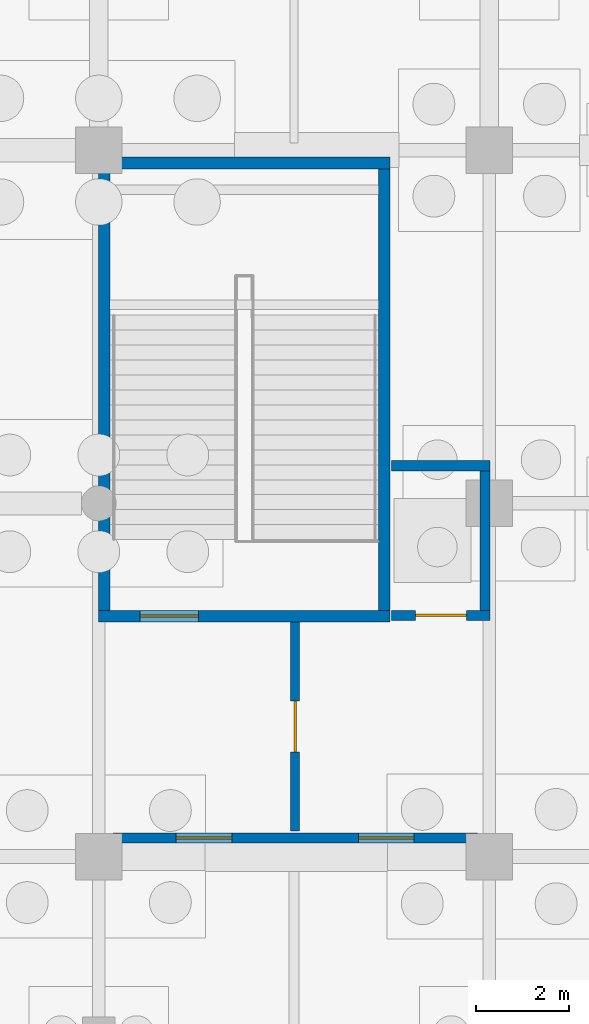
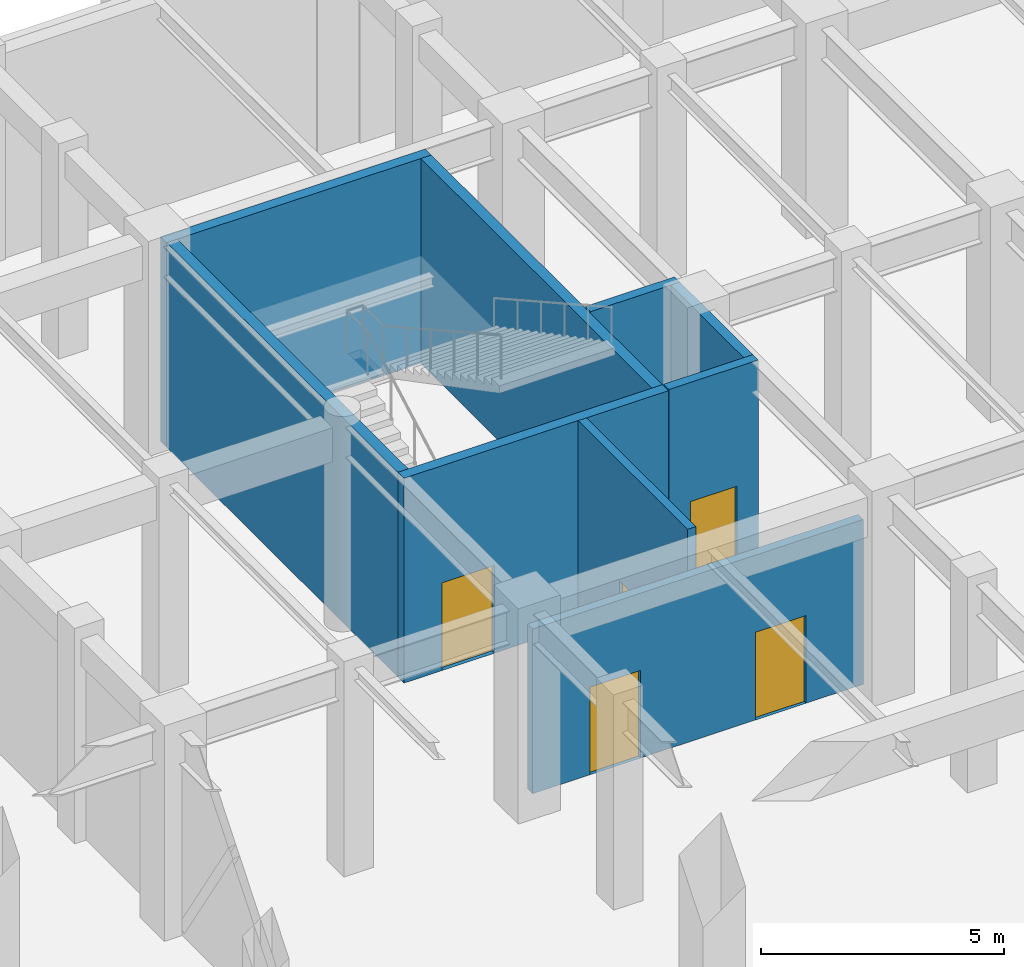
# One storey, part 42 of 52: 9 walls, 5 doors, 5 openings.
"""IFC4 building model written with IfcOpenShell, lengths in metres."""

import ifcopenshell
import ifcopenshell.guid

model = None  # the IFC model being written
_history = None  # IfcOwnerHistory: only IFC2X3 demands one
_inside = {}  # id of a spatial element -> (the spatial element, [elements in it])
_under = {}  # id of a project, library or spatial element -> (it, [spatial elements below it])
_declared = {}  # id of a project -> (the project, [libraries it declares])
_typed = {}  # id of a type object -> (the type object, [elements of that type])
_made_of = {}  # id of a material, layer set ... -> (it, [elements and type objects made of it])


def new_model(schema):
    """Start an empty IFC model of exactly this schema.

    Asked for "IFC4X3", IfcOpenShell would pick the latest addendum, in which some entities
    have other attributes; the version numbers below select the first issue.
    IFC2X3 requires an IfcOwnerHistory on every rooted entity: one is made here for all.
    """
    global model, _history
    if schema == "IFC4X3":
        model = ifcopenshell.file(schema_version=(4, 3, 0, 0))
    else:
        model = ifcopenshell.file(schema=schema)
    _inside.clear()
    _under.clear()
    _declared.clear()
    _typed.clear()
    _made_of.clear()
    _history = None
    if model.schema == "IFC2X3":
        org = make("IfcOrganization", Name="unknown")
        user = make(
            "IfcPersonAndOrganization",
            ThePerson=make("IfcPerson", FamilyName="unknown"),
            TheOrganization=org,
        )
        app = make(
            "IfcApplication",
            ApplicationDeveloper=org,
            Version="unknown",
            ApplicationFullName="unknown",
            ApplicationIdentifier="unknown",
        )
        _history = make(
            "IfcOwnerHistory",
            OwningUser=user,
            OwningApplication=app,
            ChangeAction="ADDED",
            CreationDate=0,
        )
    return model


def make(cls, **values):
    """One entity of the class cls with the attributes given. An attribute that is None is left unset."""
    return model.create_entity(
        cls, **{name: value for name, value in values.items() if value is not None}
    )


def rooted(cls, **values):
    """An entity with a GlobalId (a new one), such as an element, a storey or a relation."""
    return make(cls, GlobalId=ifcopenshell.guid.new(), OwnerHistory=_history, **values)


def si_unit(unit_type, name, prefix=None):
    """IfcSIUnit, for example si_unit("LENGTHUNIT", "METRE", prefix="MILLI")."""
    return make("IfcSIUnit", UnitType=unit_type, Prefix=prefix, Name=name)


def assignment(units):
    """IfcUnitAssignment: the units of a project."""
    return None if units is None else make("IfcUnitAssignment", Units=units)


def point(xyz):
    """IfcCartesianPoint."""
    return None if xyz is None else make("IfcCartesianPoint", Coordinates=xyz)


def direction(xyz):
    """IfcDirection."""
    return None if xyz is None else make("IfcDirection", DirectionRatios=xyz)


def frame(location, z_axis=None, x_axis=None):
    """IfcAxis2Placement3D, a coordinate frame: its origin and axes. An axis left out is left unset."""
    return make(
        "IfcAxis2Placement3D",
        Location=point(location),
        Axis=direction(z_axis),
        RefDirection=direction(x_axis),
    )


def frame_2d(location, x_axis=None):
    """IfcAxis2Placement2D, a coordinate frame in the plane: its origin and x axis."""
    return make(
        "IfcAxis2Placement2D", Location=point(location), RefDirection=direction(x_axis)
    )


def origin():
    """The frame at (0, 0, 0) with its axes left unset."""
    return frame((0.0, 0.0, 0.0))


def place(relative_to, where):
    """IfcLocalPlacement: puts the frame where relative to a parent placement (None: the world)."""
    return make(
        "IfcLocalPlacement", PlacementRelTo=relative_to, RelativePlacement=where
    )


def context(
    kind, dimensions, precision=None, world=None, true_north=None, identifier=None
):
    """IfcGeometricRepresentationContext, for example the 3D "Model" context."""
    return make(
        "IfcGeometricRepresentationContext",
        ContextIdentifier=identifier,
        ContextType=kind,
        CoordinateSpaceDimension=dimensions,
        Precision=precision,
        WorldCoordinateSystem=world,
        TrueNorth=true_north,
    )


def subcontext(parent, identifier, kind, view, scale=None):
    """IfcGeometricRepresentationSubContext, for example "Body" below "Model"."""
    return make(
        "IfcGeometricRepresentationSubContext",
        ContextIdentifier=identifier,
        ContextType=kind,
        ParentContext=parent,
        TargetScale=scale,
        TargetView=view,
    )


def project(units=None, contexts=None):
    """IfcProject with its units and contexts."""
    return rooted(
        "IfcProject",
        Name="project",
        RepresentationContexts=contexts,
        UnitsInContext=assignment(units),
    )


def spatial(cls, under=None, at=None, **own):
    """A site, building, storey or space (cls), placed at a placement, below another one or the project."""
    s = rooted(cls, ObjectPlacement=at, **own)
    if under is not None:
        _under.setdefault(under.id(), (under, []))[1].append(s)
    return s


def profile(cls, at=None, kind="AREA", **sizes):
    """A parametric profile (cls). Its sizes go by their IFC names, for example OverallWidth=200.0."""
    return make(cls, ProfileType=kind, Position=at, **sizes)


def rectangle(**sizes):
    """IfcRectangleProfileDef."""
    return profile("IfcRectangleProfileDef", **sizes)


def extrude(swept, where, along, depth):
    """IfcExtrudedAreaSolid: the profile swept, set in the frame where, extruded along a direction by depth."""
    return make(
        "IfcExtrudedAreaSolid",
        SweptArea=swept,
        Position=where,
        ExtrudedDirection=direction(along),
        Depth=depth,
    )


def shape(context_of_items, identifier, shape_type, items):
    """IfcShapeRepresentation: the items that make up one representation, for example the "Body"."""
    return make(
        "IfcShapeRepresentation",
        ContextOfItems=context_of_items,
        RepresentationIdentifier=identifier,
        RepresentationType=shape_type,
        Items=items,
    )


def material(Name=None, Category=None):
    """IfcMaterial."""
    return make("IfcMaterial", Name=Name, Category=Category)


def layer(
    of_material, thickness, ventilated=None, Name=None, Category=None, Priority=None
):
    """IfcMaterialLayer: one layer of a wall or slab, of a material (None: an air gap)."""
    return make(
        "IfcMaterialLayer",
        Material=of_material,
        LayerThickness=thickness,
        IsVentilated=ventilated,
        Name=Name,
        Category=Category,
        Priority=Priority,
    )


def layer_set(layers, Name=None):
    """IfcMaterialLayerSet."""
    return make("IfcMaterialLayerSet", MaterialLayers=layers, LayerSetName=Name)


def made_of(thing, what):
    """Note that an element or type object is made of a material, layer set ...; save() writes the relation."""
    if what is not None:
        _made_of.setdefault(what.id(), (what, []))[1].append(thing)
    return thing


def type_object(cls, material=None, **own):
    """A type object (cls), such as IfcWallType, which elements share."""
    return made_of(rooted(cls, **own), material)


def element(
    cls,
    number,
    at=None,
    inside=None,
    cuts=None,
    type_object=None,
    material=None,
    context=None,
    identifier="Body",
    shape_type=None,
    held_by="IfcProductDefinitionShape",
    body=None,
    shapes=None,
    **own,
):
    """One element of the class cls, such as IfcWall. Its Tag is "e" and its number.

    at: its placement. inside: the storey or other place that contains it. cuts: it is an
    opening in that element (IfcRelVoidsElement). A single representation is given by context,
    identifier, shape_type and body (its items); several are given by shapes. held_by: the class
    of the entity that holds the representations. save() writes the other relations.
    """
    e = rooted(cls, Tag="e%d" % number, ObjectPlacement=at, **own)
    if body is not None:
        shapes = [shape(context, identifier, shape_type, body)]
    if shapes is not None:
        e.Representation = make(held_by, Representations=shapes)
    if inside is not None:
        _inside.setdefault(inside.id(), (inside, []))[1].append(e)
    if cuts is not None:
        rooted(
            "IfcRelVoidsElement", RelatingBuildingElement=cuts, RelatedOpeningElement=e
        )
    if type_object is not None:
        _typed.setdefault(type_object.id(), (type_object, []))[1].append(e)
    return made_of(e, material)


def fill(opening, filler):
    """IfcRelFillsElement: the door or window that sits in an opening."""
    return rooted(
        "IfcRelFillsElement",
        RelatingOpeningElement=opening,
        RelatedBuildingElement=filler,
    )


def aggregate(whole, parts):
    """IfcRelAggregates: a whole, such as a stair, and the parts it consists of."""
    return rooted("IfcRelAggregates", RelatingObject=whole, RelatedObjects=parts)


def save(model, path):
    """Write the relations noted so far, then the file.

    IfcRelAggregates (storeys below a building ...), IfcRelContainedInSpatialStructure (elements
    in a storey), IfcRelDefinesByType, IfcRelAssociatesMaterial and IfcRelDeclares: one each for
    every whole, place, type object, material and project.
    """
    for whole, parts in _under.values():
        aggregate(whole, parts)
    for where, things in _inside.values():
        rooted(
            "IfcRelContainedInSpatialStructure",
            RelatedElements=things,
            RelatingStructure=where,
        )
    for kind, things in _typed.values():
        rooted("IfcRelDefinesByType", RelatedObjects=things, RelatingType=kind)
    for what, things in _made_of.values():
        rooted("IfcRelAssociatesMaterial", RelatedObjects=things, RelatingMaterial=what)
    for by, libraries in _declared.values():
        rooted("IfcRelDeclares", RelatingContext=by, RelatedDefinitions=libraries)
    model.write(path)


model = new_model("IFC4")

# Units and contexts
model_context = context("Model", 3, precision=1e-05, world=origin(), true_north=direction((0.0, 1.0)))
body_context = subcontext(model_context, "Body", "Model", "MODEL_VIEW")
ifc_project = project(units=[si_unit("LENGTHUNIT", "METRE"), si_unit("AREAUNIT", "SQUARE_METRE"), si_unit("VOLUMEUNIT", "CUBIC_METRE"), si_unit("PLANEANGLEUNIT", "RADIAN"), si_unit("MASSUNIT", "GRAM", prefix="KILO")], contexts=[model_context])

# Site, building, storey
site_placement = place(None, origin())
site = spatial("IfcSite", under=ifc_project, at=site_placement, CompositionType="ELEMENT")
building_placement = place(site_placement, origin())
building = spatial("IfcBuilding", under=site, at=building_placement, Name="Xicomal Pleat Aquarium", CompositionType="ELEMENT")
storey_placement = place(building_placement, frame((0.0, 0.0, -5.39990234375)))
storey = spatial("IfcBuildingStorey", under=building, at=storey_placement, Name="B1", CompositionType="ELEMENT", Elevation=-5.39990234375)

# Wall, opening, door
ifc_material_1 = material(Name="Concrete C40/50", Category="concrete")
ifc_layer_1 = layer(ifc_material_1, 0.219970703125)
ifc_layer_set_1 = layer_set([ifc_layer_1], Name="Concrete C40/50")
wall_type_1 = type_object("IfcWallType", Name="WAL-COR-220", PredefinedType="SHEAR", material=ifc_layer_set_1)
wall_1_placement = place(storey_placement, frame((108.89990234375, 50.7900390625, 0.0), z_axis=(0.0, 0.0, 1.0), x_axis=(1.0, 0.0, 0.0)))
wall_1 = element("IfcWall", 1, at=wall_1_placement, inside=storey, type_object=wall_type_1, Name="B1 LF-07 lift shaft wall CW-B1-C7-LS", PredefinedType="SHEAR", context=body_context, shape_type="SweptSolid", body=[
    extrude(rectangle(XDim=2.1201171875, YDim=0.219970703125, at=frame_2d((1.06005859375, 0.0))), origin(), (0.0, 0.0, 1.0), 5.139892578125),
])
opening_1_placement = place(wall_1_placement, frame((0.510009765625, 0.0, 0.0)))
opening_1 = element("IfcOpeningElement", 2, at=opening_1_placement, cuts=wall_1, Name="Opening LD-07-B1", PredefinedType="OPENING", context=body_context, shape_type="SweptSolid", body=[
    extrude(rectangle(XDim=1.10009765625, YDim=2.14990234375, at=frame_2d((0.550048828125, 1.074951171875))), frame((0.0, 0.119873046875, 0.0), z_axis=(0.0, -1.0, 0.0), x_axis=(1.0, 0.0, 0.0)), (0.0, 0.0, 1.0), 0.239990234375),
])
ifc_material_2 = material(Name="Brushed stainless steel 304", Category="steel")
door_type_1 = type_object("IfcDoorType", Name="DOR-LD-1100x2150", OperationType="DOUBLE_DOOR_SLIDING", PredefinedType="DOOR", material=ifc_material_2)
door_1_placement = place(opening_1_placement, origin())
door_1 = element("IfcDoor", 3, at=door_1_placement, inside=storey, type_object=door_type_1, Name="B1 LF-07 sliding lift landing door", OperationType="DOUBLE_DOOR_SLIDING", OverallHeight=2.14990234375, OverallWidth=1.10009765625, PredefinedType="DOOR", context=body_context, shape_type="SweptSolid", body=[
    extrude(rectangle(XDim=1.10009765625, YDim=2.14990234375, at=frame_2d((0.550048828125, 1.074951171875))), frame((0.0, 0.02490234375, 0.0), z_axis=(0.0, -1.0, 0.0), x_axis=(1.0, 0.0, 0.0)), (0.0, 0.0, 1.0), 0.050048828125),
])
fill(opening_1, door_1)

# Walls
wall_2_placement = place(storey_placement, frame((108.89990234375, 54.010009765625, 0.0), z_axis=(0.0, 0.0, 1.0), x_axis=(1.0, 0.0, 0.0)))
element("IfcWall", 4, at=wall_2_placement, inside=storey, type_object=wall_type_1, Name="B1 LF-07 lift shaft wall CW-B1-C7-LN", PredefinedType="SHEAR", context=body_context, shape_type="SweptSolid", body=[
    extrude(rectangle(XDim=2.1201171875, YDim=0.219970703125, at=frame_2d((1.06005859375, 0.0))), origin(), (0.0, 0.0, 1.0), 5.139892578125),
])
wall_3_placement = place(storey_placement, frame((110.909912109375, 50.89990234375, 0.0), z_axis=(0.0, 0.0, 1.0), x_axis=(0.0, 1.0, 0.0)))
element("IfcWall", 5, at=wall_3_placement, inside=storey, type_object=wall_type_1, Name="B1 LF-07 lift shaft wall CW-B1-C7-LE", PredefinedType="SHEAR", context=body_context, shape_type="SweptSolid", body=[
    extrude(rectangle(XDim=3.0, YDim=0.219970703125, at=frame_2d((1.5, 0.0))), origin(), (0.0, 0.0, 1.0), 5.139892578125),
])

# Wall, opening, door
ifc_material_3 = material(Name="Concrete C40/50", Category="concrete")
ifc_layer_2 = layer(ifc_material_3, 0.25)
ifc_layer_set_2 = layer_set([ifc_layer_2], Name="Concrete C40/50")
wall_type_2 = type_object("IfcWallType", Name="WAL-COR-250", PredefinedType="SHEAR", material=ifc_layer_set_2)
wall_4_placement = place(storey_placement, frame((102.590087890625, 50.77490234375, 0.0), z_axis=(0.0, 0.0, 1.0), x_axis=(1.0, 0.0, 0.0)))
wall_4 = element("IfcWall", 6, at=wall_4_placement, inside=storey, type_object=wall_type_2, Name="B1 CORE-7 stair shear wall CW-B1-C7-SS", PredefinedType="SHEAR", context=body_context, shape_type="SweptSolid", body=[
    extrude(rectangle(XDim=6.280029296875, YDim=0.25, at=frame_2d((3.14013671875, 0.0))), origin(), (0.0, 0.0, 1.0), 5.139892578125),
])
opening_2_placement = place(wall_4_placement, frame((0.89990234375, 0.0, 0.0)))
opening_2 = element("IfcOpeningElement", 7, at=opening_2_placement, cuts=wall_4, Name="Opening SD-07-B1", PredefinedType="OPENING", context=body_context, shape_type="SweptSolid", body=[
    extrude(rectangle(XDim=1.25, YDim=2.199951171875, at=frame_2d((0.625, 1.10009765625))), frame((0.0, 0.135009765625, 0.0), z_axis=(0.0, -1.0, 0.0), x_axis=(1.0, 0.0, 0.0)), (0.0, 0.0, 1.0), 0.27001953125),
])
ifc_material_4 = material(Name="Powder-coated steel fire door", Category="steel")
door_type_2 = type_object("IfcDoorType", Name="DOR-ST-1250x2200", OperationType="NOTDEFINED", PredefinedType="DOOR", material=ifc_material_4)
door_2_placement = place(opening_2_placement, origin())
door_2 = element("IfcDoor", 8, at=door_2_placement, inside=storey, type_object=door_type_2, Name="B1 ST-07 protected stair door", OperationType="SINGLE_SWING_LEFT", OverallHeight=2.199951171875, OverallWidth=1.25, PredefinedType="DOOR", context=body_context, shape_type="SweptSolid", body=[
    extrude(rectangle(XDim=1.25, YDim=2.199951171875, at=frame_2d((0.625, 1.10009765625))), frame((0.0, 0.02490234375, 0.0), z_axis=(0.0, -1.0, 0.0), x_axis=(1.0, 0.0, 0.0)), (0.0, 0.0, 1.0), 0.050048828125),
])
fill(opening_2, door_2)

# Walls
wall_5_placement = place(storey_placement, frame((102.590087890625, 60.52490234375, 0.0), z_axis=(0.0, 0.0, 1.0), x_axis=(1.0, 0.0, 0.0)))
element("IfcWall", 9, at=wall_5_placement, inside=storey, type_object=wall_type_2, Name="B1 CORE-7 stair shear wall CW-B1-C7-SN", PredefinedType="SHEAR", context=body_context, shape_type="SweptSolid", body=[
    extrude(rectangle(XDim=6.280029296875, YDim=0.25, at=frame_2d((3.14013671875, 0.0))), origin(), (0.0, 0.0, 1.0), 5.139892578125),
])
for number, where, z_axis, x_axis, name in (
    (10, (102.715087890625, 50.89990234375, 0.0), (0.0, 0.0, 1.0), (0.0, 1.0, 0.0), "B1 CORE-7 stair shear wall CW-B1-C7-SW"),
    (11, (108.7451171875, 50.89990234375, 0.0), (0.0, 0.0, 1.0), (0.0, 1.0, 0.0), "B1 CORE-7 stair shear wall CW-B1-C7-SE"),
):
    element("IfcWall", number, at=place(storey_placement, frame(where, z_axis=z_axis, x_axis=x_axis)), inside=storey, type_object=wall_type_2, Name=name, PredefinedType="SHEAR", context=body_context, shape_type="SweptSolid", body=[
        extrude(rectangle(XDim=9.5, YDim=0.25, at=frame_2d((4.75, 0.0))), origin(), (0.0, 0.0, 1.0), 5.139892578125),
    ])

# Wall, opening, door
ifc_material_5 = material(Name="Acoustic double-stud drywall partition", Category="gypsum")
ifc_layer_3 = layer(ifc_material_5, 0.195068359375)
ifc_layer_set_3 = layer_set([ifc_layer_3], Name="Acoustic double-stud drywall partition")
wall_type_3 = type_object("IfcWallType", Name="WAL-PRT-195", PredefinedType="PARTITIONING", material=ifc_layer_set_3)
wall_6_placement = place(storey_placement, frame((106.824951171875, 46.14990234375, 0.0), z_axis=(0.0, 0.0, 1.0), x_axis=(0.0, 1.0, 0.0)))
wall_6 = element("IfcWall", 12, at=wall_6_placement, inside=storey, type_object=wall_type_3, Name="B1 firefighting lobby smoke divider 7", PredefinedType="PARTITIONING", context=body_context, shape_type="SweptSolid", body=[
    extrude(rectangle(XDim=4.5, YDim=0.195068359375, at=frame_2d((2.25, 0.0))), origin(), (0.0, 0.0, 1.0), 5.139892578125),
])
opening_3_placement = place(wall_6_placement, frame((1.699951171875, 0.0, 0.0)))
opening_3 = element("IfcOpeningElement", 13, at=opening_3_placement, cuts=wall_6, Name="Opening FD-07C-B1", PredefinedType="OPENING", context=body_context, shape_type="SweptSolid", body=[
    extrude(rectangle(XDim=1.10009765625, YDim=2.14990234375, at=frame_2d((0.550048828125, 1.074951171875))), frame((0.0, 0.107421875, 0.0), z_axis=(0.0, -1.0, 0.0), x_axis=(1.0, 0.0, 0.0)), (0.0, 0.0, 1.0), 0.215087890625),
])
ifc_material_6 = material(Name="Powder-coated steel fire door", Category="steel")
door_type_3 = type_object("IfcDoorType", Name="DOR-LAB-1100x2150", OperationType="NOTDEFINED", PredefinedType="DOOR", material=ifc_material_6)
door_3_placement = place(opening_3_placement, origin())
door_3 = element("IfcDoor", 14, at=door_3_placement, inside=storey, type_object=door_type_3, Name="B1 lobby interconnecting fire door 7C", OperationType="SINGLE_SWING_LEFT", OverallHeight=2.14990234375, OverallWidth=1.10009765625, PredefinedType="DOOR", context=body_context, shape_type="SweptSolid", body=[
    extrude(rectangle(XDim=1.10009765625, YDim=2.14990234375, at=frame_2d((0.550048828125, 1.074951171875))), frame((0.0, 0.02490234375, 0.0), z_axis=(0.0, -1.0, 0.0), x_axis=(1.0, 0.0, 0.0)), (0.0, 0.0, 1.0), 0.050048828125),
])
fill(opening_3, door_3)

# Wall, openings, doors
ifc_material_7 = material(Name="Fire-rated gypsum and mineral-wool partition", Category="gypsum")
ifc_layer_4 = layer(ifc_material_7, 0.2099609375)
ifc_layer_set_4 = layer_set([ifc_layer_4], Name="Fire-rated gypsum and mineral-wool partition")
wall_type_4 = type_object("IfcWallType", Name="WAL-PRT-210", PredefinedType="PARTITIONING", material=ifc_layer_set_4)
wall_7_placement = place(storey_placement, frame((102.89990234375, 46.0, 0.0), z_axis=(0.0, 0.0, 1.0), x_axis=(1.0, 0.0, 0.0)))
wall_7 = element("IfcWall", 15, at=wall_7_placement, inside=storey, type_object=wall_type_4, Name="B1 CORE-7 lobby fire enclosure wall", PredefinedType="PARTITIONING", context=body_context, shape_type="SweptSolid", body=[
    extrude(rectangle(XDim=7.85009765625, YDim=0.2099609375, at=frame_2d((3.925048828125, 0.0))), origin(), (0.0, 0.0, 1.0), 4.135009765625),
])
opening_4_placement = place(wall_7_placement, frame((1.362060546875, 0.0, 0.0)))
opening_4 = element("IfcOpeningElement", 16, at=opening_4_placement, cuts=wall_7, Name="Opening FD-07A-B1", PredefinedType="OPENING", context=body_context, shape_type="SweptSolid", body=[
    extrude(rectangle(XDim=1.199951171875, YDim=2.199951171875, at=frame_2d((0.60009765625, 1.10009765625))), frame((0.0, 0.114990234375, 0.0), z_axis=(0.0, -1.0, 0.0), x_axis=(1.0, 0.0, 0.0)), (0.0, 0.0, 1.0), 0.22998046875),
])
opening_5_placement = place(wall_7_placement, frame((5.287109375, 0.0, 0.0)))
opening_5 = element("IfcOpeningElement", 17, at=opening_5_placement, cuts=wall_7, Name="Opening FD-07B-B1", PredefinedType="OPENING", context=body_context, shape_type="SweptSolid", body=[
    extrude(rectangle(XDim=1.199951171875, YDim=2.199951171875, at=frame_2d((0.60009765625, 1.10009765625))), frame((0.0, 0.114990234375, 0.0), z_axis=(0.0, -1.0, 0.0), x_axis=(1.0, 0.0, 0.0)), (0.0, 0.0, 1.0), 0.22998046875),
])
ifc_material_8 = material(Name="Powder-coated steel fire door", Category="steel")
door_type_4 = type_object("IfcDoorType", Name="DOR-FFL-1200x2200", OperationType="NOTDEFINED", PredefinedType="DOOR", material=ifc_material_8)
door_4_placement = place(opening_4_placement, origin())
door_4 = element("IfcDoor", 18, at=door_4_placement, inside=storey, type_object=door_type_4, Name="B1 firefighting lobby door 7A", OperationType="SINGLE_SWING_LEFT", OverallHeight=2.199951171875, OverallWidth=1.199951171875, PredefinedType="DOOR", context=body_context, shape_type="SweptSolid", body=[
    extrude(rectangle(XDim=1.199951171875, YDim=2.199951171875, at=frame_2d((0.60009765625, 1.10009765625))), frame((0.0, 0.02490234375, 0.0), z_axis=(0.0, -1.0, 0.0), x_axis=(1.0, 0.0, 0.0)), (0.0, 0.0, 1.0), 0.050048828125),
])
fill(opening_4, door_4)
door_5_placement = place(opening_5_placement, origin())
door_5 = element("IfcDoor", 19, at=door_5_placement, inside=storey, type_object=door_type_4, Name="B1 lift lobby door 7B", OperationType="SINGLE_SWING_RIGHT", OverallHeight=2.199951171875, OverallWidth=1.199951171875, PredefinedType="DOOR", context=body_context, shape_type="SweptSolid", body=[
    extrude(rectangle(XDim=1.199951171875, YDim=2.199951171875, at=frame_2d((0.60009765625, 1.10009765625))), frame((0.0, 0.02490234375, 0.0), z_axis=(0.0, -1.0, 0.0), x_axis=(1.0, 0.0, 0.0)), (0.0, 0.0, 1.0), 0.050048828125),
])
fill(opening_5, door_5)

save(model, "model.ifc")
